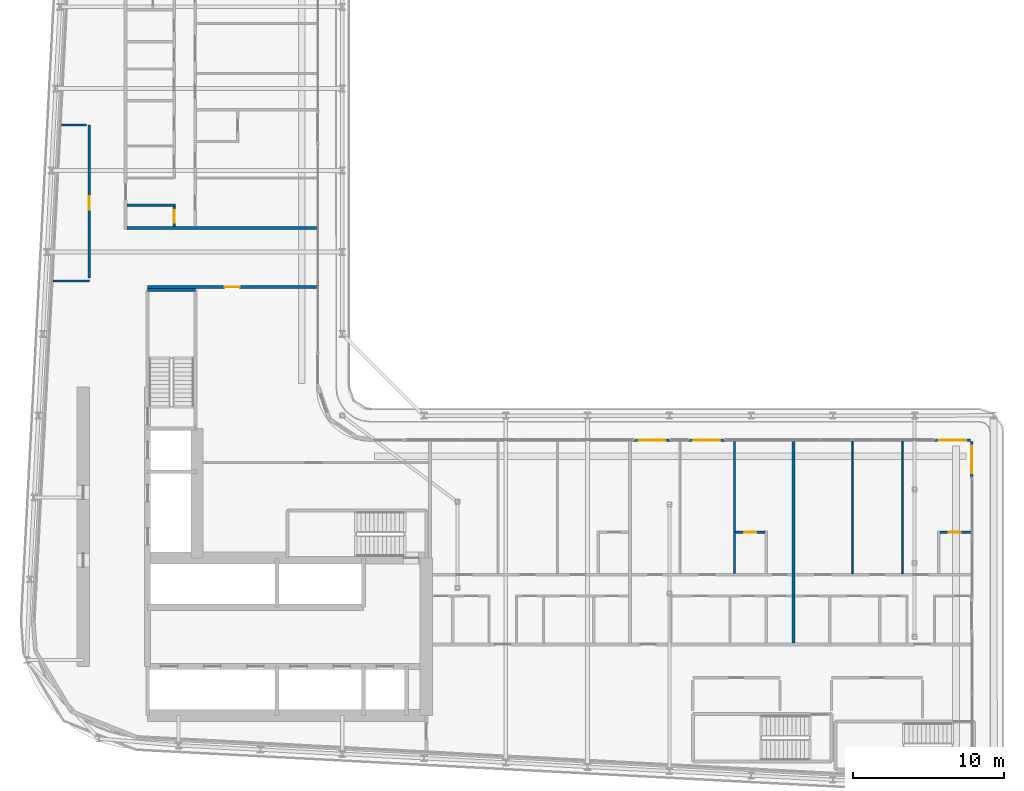
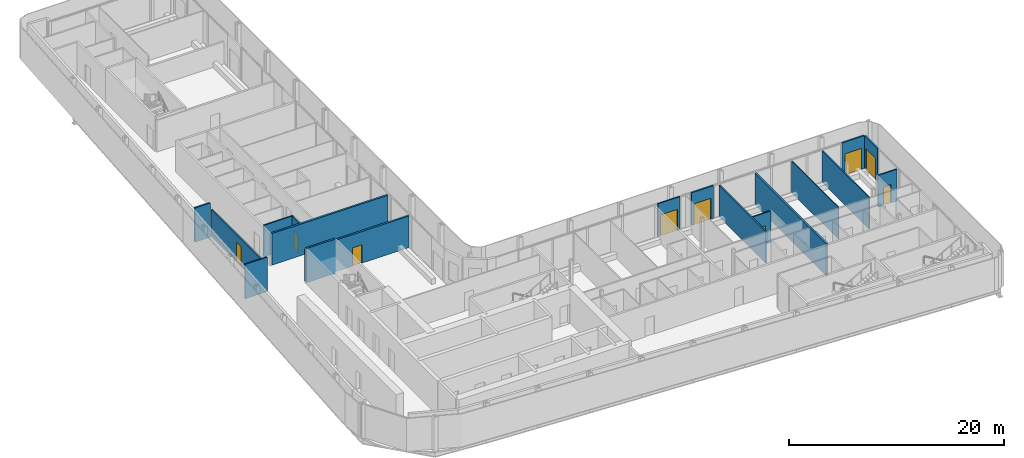
# One storey, part 14 of 24: 18 walls, 9 doors, 9 openings.
"""IFC4 building model written with IfcOpenShell, lengths in metres."""

from ifc_helpers import new_model, si_unit, direction, frame, frame_2d, origin, place, context, subcontext, project, spatial, rectangle, extrude, source, transform, mapped, material, layer, layer_set, type_object, element, fill, save


model = new_model("IFC4")

# Units and contexts
model_context = context("Model", 3, precision=1e-05, world=origin(), true_north=direction((0.0, 1.0)))
body_context = subcontext(model_context, "Body", "Model", "MODEL_VIEW")
ifc_project = project(units=[si_unit("LENGTHUNIT", "METRE"), si_unit("AREAUNIT", "SQUARE_METRE"), si_unit("VOLUMEUNIT", "CUBIC_METRE"), si_unit("PLANEANGLEUNIT", "RADIAN"), si_unit("MASSUNIT", "GRAM", prefix="KILO")], contexts=[model_context])

# Site, building, storey
site_placement = place(None, origin())
site = spatial("IfcSite", under=ifc_project, at=site_placement, CompositionType="ELEMENT")
building_placement = place(site_placement, origin())
building = spatial("IfcBuilding", under=site, at=building_placement, Name="Kheshtan School and Residences Tower", CompositionType="ELEMENT")
storey_placement = place(building_placement, frame((0.0, 0.0, 160.39990234375)))
storey = spatial("IfcBuildingStorey", under=building, at=storey_placement, Name="L37", CompositionType="ELEMENT", Elevation=160.39990234375)

# Wall
ifc_material_1 = material(Name="Gypsum board on steel studs with fire boards", Category="steel")
ifc_layer_1 = layer(ifc_material_1, 0.199951171875)
ifc_layer_set_1 = layer_set([ifc_layer_1], Name="Corridor wall 200")
wall_type_1 = type_object("IfcWallType", Name="Corridor wall 200", PredefinedType="PARTITIONING", material=ifc_layer_set_1)
wall_1_placement = place(storey_placement, frame((33.39990234375, 58.0, 0.0), z_axis=(0.0, 0.0, 1.0), x_axis=(1.0, 0.0, 0.0)))
element("IfcWall", 1, at=wall_1_placement, inside=storey, type_object=wall_type_1, Name="Partition L37-006", PredefinedType="PARTITIONING", context=body_context, shape_type="SweptSolid", body=[
    extrude(rectangle(XDim=12.5, YDim=0.199951171875, at=frame_2d((6.25, 0.0))), origin(), (0.0, 0.0, 1.0), 3.60009765625),
])

# Wall, opening, door
wall_2_placement = place(storey_placement, frame((34.75, 54.10009765625, 0.0), z_axis=(0.0, 0.0, 1.0), x_axis=(1.0, 0.0, 0.0)))
wall_2 = element("IfcWall", 2, at=wall_2_placement, inside=storey, type_object=wall_type_1, Name="Partition L37-018", PredefinedType="PARTITIONING", context=body_context, shape_type="SweptSolid", body=[
    extrude(rectangle(XDim=11.14990234375, YDim=0.199951171875, at=frame_2d((5.574951171875, 0.0))), origin(), (0.0, 0.0, 1.0), 3.60009765625),
])
opening_1_placement = place(wall_2_placement, frame((5.074951171875, 0.0, 0.0)))
opening_1 = element("IfcOpeningElement", 3, at=opening_1_placement, cuts=wall_2, Name="Opening D37-051", PredefinedType="OPENING", context=body_context, shape_type="SweptSolid", body=[
    extrude(rectangle(XDim=1.0, YDim=2.10009765625, at=frame_2d((0.5, 1.050048828125))), frame((0.0, 0.10986328125, 0.0), z_axis=(0.0, -1.0, 0.0), x_axis=(1.0, 0.0, 0.0)), (0.0, 0.0, 1.0), 0.219970703125),
])
ifc_material_2 = material(Name="Steel-framed fire-resisting door leaf", Category="steel")
door_type_1 = type_object("IfcDoorType", Name="Fire door FD60 1000 x 2100", OperationType="SINGLE_SWING_LEFT", PredefinedType="DOOR", material=ifc_material_2)
shared_shape_1 = source(origin(), body_context, "Body", "SweptSolid", [
    extrude(rectangle(XDim=1.0, YDim=2.10009765625, at=frame_2d((0.5, 1.050048828125))), frame((0.0, 0.02490234375, 0.0), z_axis=(0.0, -1.0, 0.0), x_axis=(1.0, 0.0, 0.0)), (0.0, 0.0, 1.0), 0.050048828125),
])
door_1_placement = place(opening_1_placement, origin())
door_1 = element("IfcDoor", 4, at=door_1_placement, inside=storey, type_object=door_type_1, Name="Door D37-051", OperationType="SINGLE_SWING_RIGHT", OverallHeight=2.10009765625, OverallWidth=1.0, PredefinedType="DOOR", context=body_context, shape_type="MappedRepresentation", body=[
    mapped(shared_shape_1, transform((0.0, 0.0, 0.0), x_axis=(1.0, 0.0, 0.0), y_axis=(0.0, 1.0, 0.0), z_axis=(0.0, 0.0, 1.0), scale=1.0)),
])
fill(opening_1, door_1)

ifc_material_3 = material(Name="Aluminium frame wall with insulated infill", Category="aluminium")
ifc_layer_2 = layer(ifc_material_3, 0.14990234375)
ifc_layer_set_2 = layer_set([ifc_layer_2], Name="Glazing frame wall 150")
wall_type_2 = type_object("IfcWallType", Name="Glazing frame wall 150", PredefinedType="SOLIDWALL", material=ifc_layer_set_2)
wall_3_placement = place(storey_placement, frame((66.864990234375, 43.97509765625, 0.0), z_axis=(0.0, 0.0, 1.0), x_axis=(1.0, 0.0, 0.0)))
wall_3 = element("IfcWall", 5, at=wall_3_placement, inside=storey, type_object=wall_type_2, Name="Balcony door wall L37 12.2", PredefinedType="SOLIDWALL", context=body_context, shape_type="SweptSolid", body=[
    extrude(rectangle(XDim=2.39990234375, YDim=0.14990234375, at=frame_2d((1.199951171875, 0.0))), origin(), (0.0, 0.0, 1.0), 3.75),
])
opening_2_placement = place(wall_3_placement, frame((0.300048828125, 0.0, 0.0)))
opening_2 = element("IfcOpeningElement", 6, at=opening_2_placement, cuts=wall_3, Name="Opening BD", PredefinedType="OPENING", context=body_context, shape_type="SweptSolid", body=[
    extrude(rectangle(XDim=1.800048828125, YDim=2.39990234375, at=frame_2d((0.89990234375, 1.199951171875))), frame((0.0, 0.0849609375, 0.0), z_axis=(0.0, -1.0, 0.0), x_axis=(1.0, 0.0, 0.0)), (0.0, 0.0, 1.0), 0.169921875),
])
ifc_material_4 = material(Name="Clear low-e glass in thermally broken aluminium frame", Category="aluminium")
door_type_2 = type_object("IfcDoorType", Name="Balcony sliding door", OperationType="SLIDING_TO_LEFT", PredefinedType="DOOR", material=ifc_material_4)
shared_shape_2 = source(origin(), body_context, "Body", "SweptSolid", [
    extrude(rectangle(XDim=1.800048828125, YDim=2.39990234375, at=frame_2d((0.89990234375, 1.199951171875))), frame((0.0, 0.02490234375, 0.0), z_axis=(0.0, -1.0, 0.0), x_axis=(1.0, 0.0, 0.0)), (0.0, 0.0, 1.0), 0.050048828125),
])
door_2_placement = place(opening_2_placement, origin())
door_2 = element("IfcDoor", 7, at=door_2_placement, inside=storey, type_object=door_type_2, Name="Balcony door L37 12.2", OperationType="SLIDING_TO_LEFT", OverallHeight=2.39990234375, OverallWidth=1.800048828125, PredefinedType="DOOR", context=body_context, shape_type="MappedRepresentation", body=[
    mapped(shared_shape_2, transform((0.0, 0.0, 0.0), x_axis=(1.0, 0.0, 0.0), y_axis=(0.0, 1.0, 0.0), z_axis=(0.0, 0.0, 1.0), scale=1.0)),
])
fill(opening_2, door_2)

wall_4_placement = place(storey_placement, frame((70.465087890625, 43.97509765625, 0.0), z_axis=(0.0, 0.0, 1.0), x_axis=(1.0, 0.0, 0.0)))
wall_4 = element("IfcWall", 8, at=wall_4_placement, inside=storey, type_object=wall_type_2, Name="Balcony door wall L37 12.3", PredefinedType="SOLIDWALL", context=body_context, shape_type="SweptSolid", body=[
    extrude(rectangle(XDim=2.39990234375, YDim=0.14990234375, at=frame_2d((1.199951171875, 0.0))), origin(), (0.0, 0.0, 1.0), 3.75),
])
opening_3_placement = place(wall_4_placement, frame((0.300048828125, 0.0, 0.0)))
opening_3 = element("IfcOpeningElement", 9, at=opening_3_placement, cuts=wall_4, Name="Opening BD", PredefinedType="OPENING", context=body_context, shape_type="SweptSolid", body=[
    extrude(rectangle(XDim=1.800048828125, YDim=2.39990234375, at=frame_2d((0.89990234375, 1.199951171875))), frame((0.0, 0.0849609375, 0.0), z_axis=(0.0, -1.0, 0.0), x_axis=(1.0, 0.0, 0.0)), (0.0, 0.0, 1.0), 0.169921875),
])
door_3_placement = place(opening_3_placement, origin())
door_3 = element("IfcDoor", 10, at=door_3_placement, inside=storey, type_object=door_type_2, Name="Balcony door L37 12.3", OperationType="SLIDING_TO_LEFT", OverallHeight=2.39990234375, OverallWidth=1.800048828125, PredefinedType="DOOR", context=body_context, shape_type="MappedRepresentation", body=[
    mapped(shared_shape_2, transform((0.0, 0.0, 0.0), x_axis=(1.0, 0.0, 0.0), y_axis=(0.0, 1.0, 0.0), z_axis=(0.0, 0.0, 1.0), scale=1.0)),
])
fill(opening_3, door_3)

wall_5_placement = place(storey_placement, frame((86.699951171875, 43.97509765625, 0.0), z_axis=(0.0, 0.0, 1.0), x_axis=(1.0, 0.0, 0.0)))
wall_5 = element("IfcWall", 11, at=wall_5_placement, inside=storey, type_object=wall_type_2, Name="Balcony door wall L37 12.4", PredefinedType="SOLIDWALL", context=body_context, shape_type="SweptSolid", body=[
    extrude(rectangle(XDim=2.400146484375, YDim=0.14990234375, at=frame_2d((1.2001953125, 0.0))), origin(), (0.0, 0.0, 1.0), 3.75),
])
opening_4_placement = place(wall_5_placement, frame((0.300048828125, 0.0, 0.0)))
opening_4 = element("IfcOpeningElement", 12, at=opening_4_placement, cuts=wall_5, Name="Opening BD", PredefinedType="OPENING", context=body_context, shape_type="SweptSolid", body=[
    extrude(rectangle(XDim=1.800048828125, YDim=2.39990234375, at=frame_2d((0.89990234375, 1.199951171875))), frame((0.0, 0.0849609375, 0.0), z_axis=(0.0, -1.0, 0.0), x_axis=(1.0, 0.0, 0.0)), (0.0, 0.0, 1.0), 0.169921875),
])
door_4_placement = place(opening_4_placement, origin())
door_4 = element("IfcDoor", 13, at=door_4_placement, inside=storey, type_object=door_type_2, Name="Balcony door L37 12.4", OperationType="SLIDING_TO_LEFT", OverallHeight=2.39990234375, OverallWidth=1.800048828125, PredefinedType="DOOR", context=body_context, shape_type="MappedRepresentation", body=[
    mapped(shared_shape_2, transform((0.0, 0.0, 0.0), x_axis=(1.0, 0.0, 0.0), y_axis=(0.0, 1.0, 0.0), z_axis=(0.0, 0.0, 1.0), scale=1.0)),
])
fill(opening_4, door_4)

wall_6_placement = place(storey_placement, frame((89.175048828125, 43.89990234375, 0.0), z_axis=(0.0, 0.0, 1.0), x_axis=(0.0, -1.0, 0.0)))
wall_6 = element("IfcWall", 14, at=wall_6_placement, inside=storey, type_object=wall_type_2, Name="Balcony door wall L37 13.1", PredefinedType="SOLIDWALL", context=body_context, shape_type="SweptSolid", body=[
    extrude(rectangle(XDim=2.39990234375, YDim=0.14990234375, at=frame_2d((1.199951171875, 0.0))), origin(), (0.0, 0.0, 1.0), 3.75),
])
opening_5_placement = place(wall_6_placement, frame((0.300048828125, 0.0, 0.0)))
opening_5 = element("IfcOpeningElement", 15, at=opening_5_placement, cuts=wall_6, Name="Opening BD", PredefinedType="OPENING", context=body_context, shape_type="SweptSolid", body=[
    extrude(rectangle(XDim=1.800048828125, YDim=2.39990234375, at=frame_2d((0.89990234375, 1.199951171875))), frame((0.0, 0.0849609375, 0.0), z_axis=(0.0, -1.0, 0.0), x_axis=(1.0, 0.0, 0.0)), (0.0, 0.0, 1.0), 0.169921875),
])
door_5_placement = place(opening_5_placement, origin())
door_5 = element("IfcDoor", 16, at=door_5_placement, inside=storey, type_object=door_type_2, Name="Balcony door L37 13.1", OperationType="SLIDING_TO_LEFT", OverallHeight=2.39990234375, OverallWidth=1.800048828125, PredefinedType="DOOR", context=body_context, shape_type="MappedRepresentation", body=[
    mapped(shared_shape_2, transform((0.0, 0.0, 0.0), x_axis=(1.0, 0.0, 0.0), y_axis=(0.0, 1.0, 0.0), z_axis=(0.0, 0.0, 1.0), scale=1.0)),
])
fill(opening_5, door_5)

# Walls
ifc_material_5 = material(Name="Gypsum board on steel studs", Category="steel")
ifc_layer_3 = layer(ifc_material_5, 0.10009765625)
ifc_layer_set_3 = layer_set([ifc_layer_3], Name="Gypsum partition 100")
wall_type_3 = type_object("IfcWallType", Name="Gypsum partition 100", PredefinedType="PARTITIONING", material=ifc_layer_set_3)
for number, where, z_axis, x_axis, name in (
    (17, (81.300048828125, 35.175048828125, 0.0), (0.0, 0.0, 1.0), (0.0, 1.0, 0.0), "Partition L37-064"),
    (18, (84.60009765625, 35.175048828125, 0.0), (0.0, 0.0, 1.0), (0.0, 1.0, 0.0), "Partition L37-066"),
):
    element("IfcWall", number, at=place(storey_placement, frame(where, z_axis=z_axis, x_axis=x_axis)), inside=storey, type_object=wall_type_3, Name=name, PredefinedType="PARTITIONING", context=body_context, shape_type="SweptSolid", body=[
        extrude(rectangle(XDim=8.724853515625, YDim=0.10009765625, at=frame_2d((4.3623046875, 0.0))), origin(), (0.0, 0.0, 1.0), 3.60009765625),
    ])
ifc_material_6 = material(Name="Fire-board shaft wall system")
ifc_layer_4 = layer(ifc_material_6, 0.14990234375)
ifc_layer_set_4 = layer_set([ifc_layer_4], Name="Service room wall 150")
wall_type_4 = type_object("IfcWallType", Name="Service room wall 150", PredefinedType="PARTITIONING", material=ifc_layer_set_4)
wall_7_placement = place(storey_placement, frame((28.508056640625, 54.5, 0.0), z_axis=(0.0, 0.0, 1.0), x_axis=(1.0, 0.0, 0.0)))
element("IfcWall", 19, at=wall_7_placement, inside=storey, type_object=wall_type_4, Name="Service room wall", PredefinedType="PARTITIONING", context=body_context, shape_type="SweptSolid", body=[
    extrude(rectangle(XDim=2.391845703125, YDim=0.14990234375, at=frame_2d((1.19580078125, 0.0))), origin(), (0.0, 0.0, 1.0), 3.900146484375),
])

# Wall, opening, door
wall_8_placement = place(storey_placement, frame((30.89990234375, 54.695068359375, 0.0), z_axis=(0.0, 0.0, 1.0), x_axis=(0.0, 1.0, 0.0)))
wall_8 = element("IfcWall", 20, at=wall_8_placement, inside=storey, type_object=wall_type_4, Name="Service room wall", PredefinedType="PARTITIONING", context=body_context, shape_type="SweptSolid", body=[
    extrude(rectangle(XDim=10.10498046875, YDim=0.14990234375, at=frame_2d((5.052490234375, 0.0))), origin(), (0.0, 0.0, 1.0), 3.072021484375),
])
opening_6_placement = place(wall_8_placement, frame((4.5048828125, 0.0, 0.0)))
opening_6 = element("IfcOpeningElement", 21, at=opening_6_placement, cuts=wall_8, Name="Opening SR90", PredefinedType="OPENING", context=body_context, shape_type="SweptSolid", body=[
    extrude(rectangle(XDim=0.89990234375, YDim=2.199951171875, at=frame_2d((0.449951171875, 1.10009765625))), frame((0.0, 0.0849609375, 0.0), z_axis=(0.0, -1.0, 0.0), x_axis=(1.0, 0.0, 0.0)), (0.0, 0.0, 1.0), 0.169921875),
])
ifc_material_7 = material(Name="Steel door leaf, galvanised", Category="steel")
door_type_3 = type_object("IfcDoorType", Name="Service room door 900 steel 90 min", OperationType="SINGLE_SWING_LEFT", PredefinedType="DOOR", material=ifc_material_7)
shared_shape_3 = source(origin(), body_context, "Body", "SweptSolid", [
    extrude(rectangle(XDim=0.89990234375, YDim=2.199951171875, at=frame_2d((0.449951171875, 1.10009765625))), frame((0.0, 0.02490234375, 0.0), z_axis=(0.0, -1.0, 0.0), x_axis=(1.0, 0.0, 0.0)), (0.0, 0.0, 1.0), 0.050048828125),
])
door_6_placement = place(opening_6_placement, origin())
door_6 = element("IfcDoor", 22, at=door_6_placement, inside=storey, type_object=door_type_3, Name="Service room door", OperationType="SINGLE_SWING_LEFT", OverallHeight=2.199951171875, OverallWidth=0.89990234375, PredefinedType="DOOR", context=body_context, shape_type="MappedRepresentation", body=[
    mapped(shared_shape_3, transform((0.0, 0.0, 0.0), x_axis=(1.0, 0.0, 0.0), y_axis=(0.0, 1.0, 0.0), z_axis=(0.0, 0.0, 1.0), scale=1.0)),
])
fill(opening_6, door_6)

# Walls
wall_9_placement = place(storey_placement, frame((29.050048828125, 64.800048828125, 0.0), z_axis=(0.0, 0.0, 1.0), x_axis=(1.0, 0.0, 0.0)))
element("IfcWall", 23, at=wall_9_placement, inside=storey, type_object=wall_type_4, Name="Service room wall", PredefinedType="PARTITIONING", context=body_context, shape_type="SweptSolid", body=[
    extrude(rectangle(XDim=1.655029296875, YDim=0.14990234375, at=frame_2d((0.82763671875, 0.0))), origin(), (0.0, 0.0, 1.0), 3.900146484375),
])
ifc_material_8 = material(Name="Concrete C40/50", Category="concrete")
ifc_layer_5 = layer(ifc_material_8, 0.199951171875)
ifc_layer_set_5 = layer_set([ifc_layer_5], Name="Stair enclosure wall 200 Concrete C40/50")
wall_type_5 = type_object("IfcWallType", Name="Stair enclosure wall 200 Concrete C40/50", PredefinedType="SHEAR", material=ifc_layer_set_5)
wall_10_placement = place(storey_placement, frame((34.75, 53.909912109375, 0.0), z_axis=(0.0, 0.0, 1.0), x_axis=(1.0, 0.0, 0.0)))
element("IfcWall", 24, at=wall_10_placement, inside=storey, type_object=wall_type_5, Name="Stair enclosure wall ST2", PredefinedType="SHEAR", context=body_context, shape_type="SweptSolid", body=[
    extrude(rectangle(XDim=3.14990234375, YDim=0.199951171875, at=frame_2d((1.574951171875, 0.0))), origin(), (0.0, 0.0, 1.0), 3.900146484375),
])
ifc_material_9 = material(Name="Twin gypsum board on steel studs with mineral wool", Category="steel")
ifc_layer_6 = layer(ifc_material_9, 0.199951171875)
ifc_layer_set_6 = layer_set([ifc_layer_6], Name="Unit demising wall 200")
wall_type_6 = type_object("IfcWallType", Name="Unit demising wall 200", PredefinedType="PARTITIONING", material=ifc_layer_set_6)
wall_11_placement = place(storey_placement, frame((77.39990234375, 30.60009765625, 0.0), z_axis=(0.0, 0.0, 1.0), x_axis=(0.0, 1.0, 0.0)))
element("IfcWall", 25, at=wall_11_placement, inside=storey, type_object=wall_type_6, Name="Partition L37-060", PredefinedType="PARTITIONING", context=body_context, shape_type="SweptSolid", body=[
    extrude(rectangle(XDim=13.2998046875, YDim=0.199951171875, at=frame_2d((6.64990234375, 0.0))), origin(), (0.0, 0.0, 1.0), 3.60009765625),
])
ifc_material_10 = material(Name="Moisture-resistant gypsum board on steel studs", Category="steel")
ifc_layer_7 = layer(ifc_material_10, 0.14990234375)
ifc_layer_set_7 = layer_set([ifc_layer_7], Name="Wet-room partition 150")
wall_type_7 = type_object("IfcWallType", Name="Wet-room partition 150", PredefinedType="PARTITIONING", material=ifc_layer_set_7)
wall_12_placement = place(storey_placement, frame((33.39990234375, 59.5, 0.0), z_axis=(0.0, 0.0, 1.0), x_axis=(1.0, 0.0, 0.0)))
element("IfcWall", 26, at=wall_12_placement, inside=storey, type_object=wall_type_7, Name="Partition L37-007", PredefinedType="PARTITIONING", context=body_context, shape_type="SweptSolid", body=[
    extrude(rectangle(XDim=3.175048828125, YDim=0.14990234375, at=frame_2d((1.58740234375, 0.0))), origin(), (0.0, 0.0, 1.0), 3.60009765625),
])

# Wall, opening, door
wall_13_placement = place(storey_placement, frame((36.5, 58.10009765625, 0.0), z_axis=(0.0, 0.0, 1.0), x_axis=(0.0, 1.0, 0.0)))
wall_13 = element("IfcWall", 27, at=wall_13_placement, inside=storey, type_object=wall_type_7, Name="Partition L37-021", PredefinedType="PARTITIONING", context=body_context, shape_type="SweptSolid", body=[
    extrude(rectangle(XDim=1.324951171875, YDim=0.14990234375, at=frame_2d((0.66259765625, 0.0))), origin(), (0.0, 0.0, 1.0), 3.60009765625),
])
opening_7_placement = place(wall_13_placement, frame((0.25, 0.0, 0.0)))
opening_7 = element("IfcOpeningElement", 28, at=opening_7_placement, cuts=wall_13, Name="Opening D37-042", PredefinedType="OPENING", context=body_context, shape_type="SweptSolid", body=[
    extrude(rectangle(XDim=0.800048828125, YDim=2.10009765625, at=frame_2d((0.39990234375, 1.050048828125))), frame((0.0, 0.0849609375, 0.0), z_axis=(0.0, -1.0, 0.0), x_axis=(1.0, 0.0, 0.0)), (0.0, 0.0, 1.0), 0.169921875),
])
ifc_material_11 = material(Name="Veneered timber door leaf", Category="wood")
door_type_4 = type_object("IfcDoorType", Name="Door 800 x 2100", OperationType="SINGLE_SWING_LEFT", PredefinedType="DOOR", material=ifc_material_11)
shared_shape_4 = source(origin(), body_context, "Body", "SweptSolid", [
    extrude(rectangle(XDim=0.800048828125, YDim=2.10009765625, at=frame_2d((0.39990234375, 1.050048828125))), frame((0.0, 0.02490234375, 0.0), z_axis=(0.0, -1.0, 0.0), x_axis=(1.0, 0.0, 0.0)), (0.0, 0.0, 1.0), 0.050048828125),
])
door_7_placement = place(opening_7_placement, origin())
door_7 = element("IfcDoor", 29, at=door_7_placement, inside=storey, type_object=door_type_4, Name="Door D37-042", OperationType="SINGLE_SWING_RIGHT", OverallHeight=2.10009765625, OverallWidth=0.800048828125, PredefinedType="DOOR", context=body_context, shape_type="MappedRepresentation", body=[
    mapped(shared_shape_4, transform((0.0, 0.0, 0.0), x_axis=(1.0, 0.0, 0.0), y_axis=(0.0, 1.0, 0.0), z_axis=(0.0, 0.0, 1.0), scale=1.0)),
])
fill(opening_7, door_7)

# Wall
wall_14_placement = place(storey_placement, frame((73.5, 35.175048828125, 0.0), z_axis=(0.0, 0.0, 1.0), x_axis=(0.0, 1.0, 0.0)))
element("IfcWall", 30, at=wall_14_placement, inside=storey, type_object=wall_type_7, Name="Partition L37-056", PredefinedType="PARTITIONING", context=body_context, shape_type="SweptSolid", body=[
    extrude(rectangle(XDim=8.724853515625, YDim=0.14990234375, at=frame_2d((4.3623046875, 0.0))), origin(), (0.0, 0.0, 1.0), 3.60009765625),
])

# Wall, opening, door
wall_15_placement = place(storey_placement, frame((73.574951171875, 37.89990234375, 0.0), z_axis=(0.0, 0.0, 1.0), x_axis=(1.0, 0.0, 0.0)))
wall_15 = element("IfcWall", 31, at=wall_15_placement, inside=storey, type_object=wall_type_7, Name="Partition L37-057", PredefinedType="PARTITIONING", context=body_context, shape_type="SweptSolid", body=[
    extrude(rectangle(XDim=1.949951171875, YDim=0.14990234375, at=frame_2d((0.97509765625, 0.0))), origin(), (0.0, 0.0, 1.0), 3.60009765625),
])
opening_8_placement = place(wall_15_placement, frame((0.574951171875, 0.0, 0.0)))
opening_8 = element("IfcOpeningElement", 32, at=opening_8_placement, cuts=wall_15, Name="Opening D37-013", PredefinedType="OPENING", context=body_context, shape_type="SweptSolid", body=[
    extrude(rectangle(XDim=0.800048828125, YDim=2.10009765625, at=frame_2d((0.39990234375, 1.050048828125))), frame((0.0, 0.0849609375, 0.0), z_axis=(0.0, -1.0, 0.0), x_axis=(1.0, 0.0, 0.0)), (0.0, 0.0, 1.0), 0.169921875),
])
door_8_placement = place(opening_8_placement, origin())
door_8 = element("IfcDoor", 33, at=door_8_placement, inside=storey, type_object=door_type_4, Name="Door D37-013", OperationType="SINGLE_SWING_LEFT", OverallHeight=2.10009765625, OverallWidth=0.800048828125, PredefinedType="DOOR", context=body_context, shape_type="MappedRepresentation", body=[
    mapped(shared_shape_4, transform((0.0, 0.0, 0.0), x_axis=(1.0, 0.0, 0.0), y_axis=(0.0, 1.0, 0.0), z_axis=(0.0, 0.0, 1.0), scale=1.0)),
])
fill(opening_8, door_8)

wall_16_placement = place(storey_placement, frame((87.074951171875, 37.89990234375, 0.0), z_axis=(0.0, 0.0, 1.0), x_axis=(1.0, 0.0, 0.0)))
wall_16 = element("IfcWall", 34, at=wall_16_placement, inside=storey, type_object=wall_type_7, Name="Partition L37-071", PredefinedType="PARTITIONING", context=body_context, shape_type="SweptSolid", body=[
    extrude(rectangle(XDim=2.025146484375, YDim=0.14990234375, at=frame_2d((1.0126953125, 0.0))), origin(), (0.0, 0.0, 1.0), 3.60009765625),
])
opening_9_placement = place(wall_16_placement, frame((0.574951171875, 0.0, 0.0)))
opening_9 = element("IfcOpeningElement", 35, at=opening_9_placement, cuts=wall_16, Name="Opening D37-022", PredefinedType="OPENING", context=body_context, shape_type="SweptSolid", body=[
    extrude(rectangle(XDim=0.800048828125, YDim=2.10009765625, at=frame_2d((0.39990234375, 1.050048828125))), frame((0.0, 0.0849609375, 0.0), z_axis=(0.0, -1.0, 0.0), x_axis=(1.0, 0.0, 0.0)), (0.0, 0.0, 1.0), 0.169921875),
])
door_9_placement = place(opening_9_placement, origin())
door_9 = element("IfcDoor", 36, at=door_9_placement, inside=storey, type_object=door_type_4, Name="Door D37-022", OperationType="SINGLE_SWING_RIGHT", OverallHeight=2.10009765625, OverallWidth=0.800048828125, PredefinedType="DOOR", context=body_context, shape_type="MappedRepresentation", body=[
    mapped(shared_shape_4, transform((0.0, 0.0, 0.0), x_axis=(1.0, 0.0, 0.0), y_axis=(0.0, 1.0, 0.0), z_axis=(0.0, 0.0, 1.0), scale=1.0)),
])
fill(opening_9, door_9)

save(model, "model.ifc")
